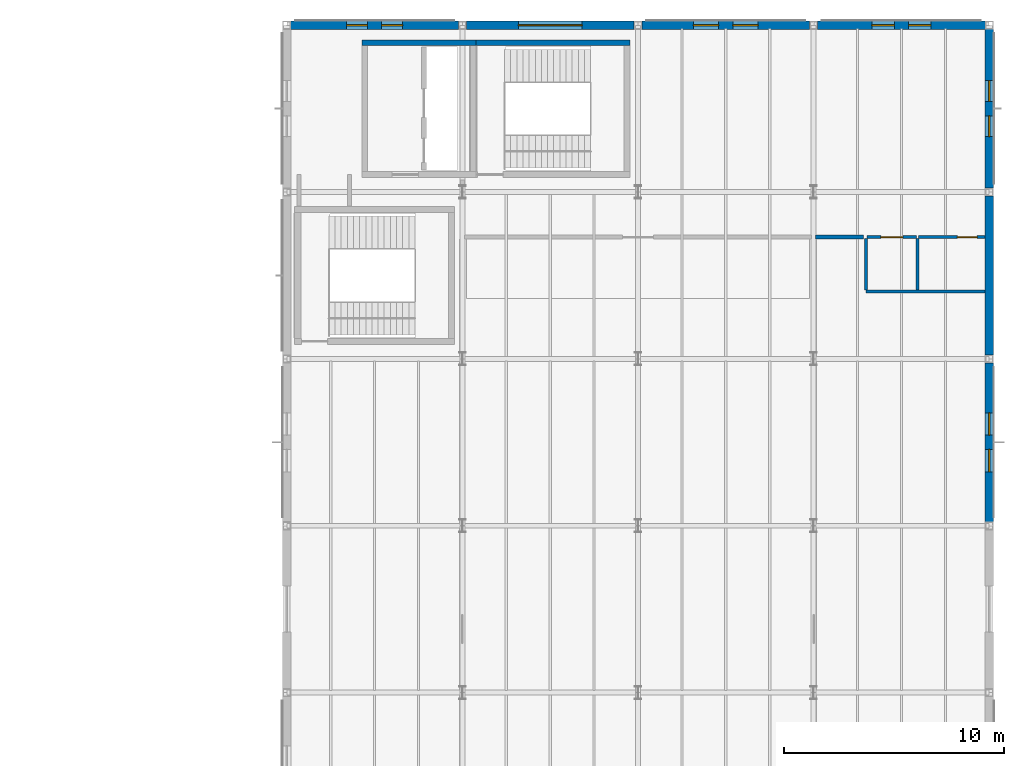
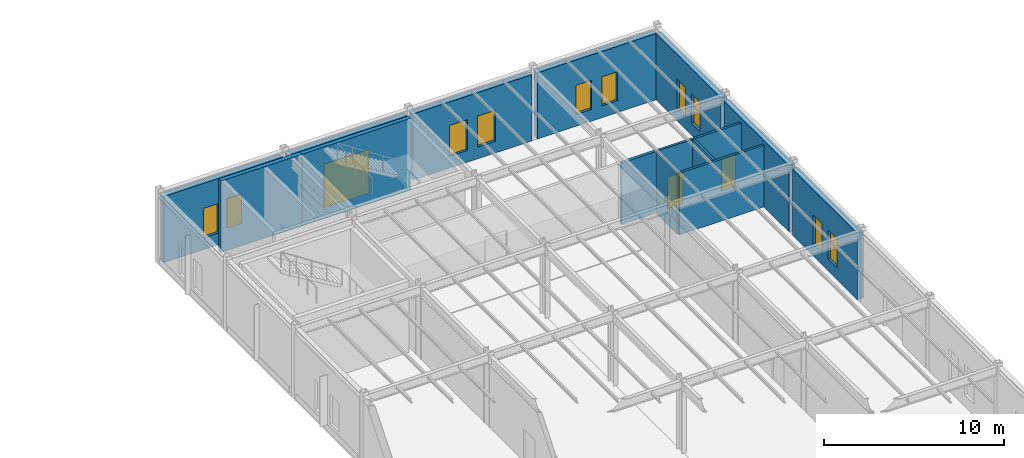
# One storey, part 94 of 109: 15 walls, 10 windows, 3 doors, 13 openings.
"""IFC4 building model written with IfcOpenShell, lengths in metres."""

from ifc_helpers import new_model, si_unit, direction, frame, frame_2d, origin, place, context, subcontext, project, spatial, rectangle, extrude, material, layer, layer_set, type_object, element, fill, save


model = new_model("IFC4")

# Units and contexts
model_context = context("Model", 3, precision=1e-05, world=origin(), true_north=direction((0.0, 1.0)))
body_context = subcontext(model_context, "Body", "Model", "MODEL_VIEW")
ifc_project = project(units=[si_unit("LENGTHUNIT", "METRE"), si_unit("AREAUNIT", "SQUARE_METRE"), si_unit("VOLUMEUNIT", "CUBIC_METRE"), si_unit("PLANEANGLEUNIT", "RADIAN"), si_unit("MASSUNIT", "GRAM", prefix="KILO")], contexts=[model_context])

# Site, building, storey
site_placement = place(None, origin())
site = spatial("IfcSite", under=ifc_project, at=site_placement, CompositionType="ELEMENT")
building_placement = place(site_placement, origin())
building = spatial("IfcBuilding", under=site, at=building_placement, Name="Montecoro Central Library", CompositionType="ELEMENT")
storey_placement = place(building_placement, origin())
storey = spatial("IfcBuildingStorey", under=building, at=storey_placement, Name="L00", CompositionType="ELEMENT", Elevation=0.0)

# Wall, openings, windows
ifc_material_1 = material(Name="Dark piperno stone clad concrete C35/45", Category="masonry")
ifc_layer_1 = layer(ifc_material_1, 0.385009765625)
ifc_layer_set_1 = layer_set([ifc_layer_1], Name="Dark piperno stone clad concrete C35/45")
wall_type_1 = type_object("IfcWallType", Name="EW-PIP-385", PredefinedType="SOLIDWALL", material=ifc_layer_set_1)
wall_1_placement = place(storey_placement, frame((173.0, 96.3779296875, 0.0), z_axis=(0.0, 0.0, 1.0), x_axis=(0.0, 1.0, 0.0)))
wall_1 = element("IfcWall", 1, at=wall_1_placement, inside=storey, type_object=wall_type_1, Name="V5-L00-EW-E3", PredefinedType="SOLIDWALL", context=body_context, shape_type="SweptSolid", body=[
    extrude(rectangle(XDim=7.244140625, YDim=0.385009765625, at=frame_2d((3.6220703125, 0.0))), origin(), (0.0, 0.0, 1.0), 4.5),
])
opening_1_placement = place(wall_1_placement, frame((2.277099609375, 0.0, 0.800048828125)))
opening_1 = element("IfcOpeningElement", 2, at=opening_1_placement, cuts=wall_1, Name="Opening WN-30", PredefinedType="OPENING", context=body_context, shape_type="SweptSolid", body=[
    extrude(rectangle(XDim=1.02001953125, YDim=1.97998046875, at=frame_2d((0.510009765625, 0.989990234375))), frame((0.0, 0.202392578125, 0.0), z_axis=(0.0, -1.0, 0.0), x_axis=(1.0, 0.0, 0.0)), (0.0, 0.0, 1.0), 0.405029296875),
])
opening_2_placement = place(wall_1_placement, frame((3.947021484375, 0.0, 0.800048828125)))
opening_2 = element("IfcOpeningElement", 3, at=opening_2_placement, cuts=wall_1, Name="Opening WN-30", PredefinedType="OPENING", context=body_context, shape_type="SweptSolid", body=[
    extrude(rectangle(XDim=1.02001953125, YDim=1.97998046875, at=frame_2d((0.510009765625, 0.989990234375))), frame((0.0, 0.202392578125, 0.0), z_axis=(0.0, -1.0, 0.0), x_axis=(1.0, 0.0, 0.0)), (0.0, 0.0, 1.0), 0.405029296875),
])
ifc_material_2 = material(Name="UV-filtered triple glazing", Category="glass")
window_type_1 = type_object("IfcWindowType", Name="WN-STK-102", PartitioningType="SINGLE_PANEL", PredefinedType="WINDOW", material=ifc_material_2)
window_1_placement = place(opening_1_placement, origin())
window_1 = element("IfcWindow", 4, at=window_1_placement, inside=storey, type_object=window_type_1, Name="V5-L00-WN-E3-1", OverallHeight=1.97998046875, OverallWidth=1.02001953125, PartitioningType="SINGLE_PANEL", PredefinedType="WINDOW", context=body_context, shape_type="SweptSolid", body=[
    extrude(rectangle(XDim=1.02001953125, YDim=1.97998046875, at=frame_2d((0.510009765625, 0.989990234375))), frame((0.0, 0.030029296875, 0.0), z_axis=(0.0, -1.0, 0.0), x_axis=(1.0, 0.0, 0.0)), (0.0, 0.0, 1.0), 0.06005859375),
])
fill(opening_1, window_1)
window_2_placement = place(opening_2_placement, origin())
window_2 = element("IfcWindow", 5, at=window_2_placement, inside=storey, type_object=window_type_1, Name="V5-L00-WN-E3-2", OverallHeight=1.97998046875, OverallWidth=1.02001953125, PartitioningType="SINGLE_PANEL", PredefinedType="WINDOW", context=body_context, shape_type="SweptSolid", body=[
    extrude(rectangle(XDim=1.02001953125, YDim=1.97998046875, at=frame_2d((0.510009765625, 0.989990234375))), frame((0.0, 0.030029296875, 0.0), z_axis=(0.0, -1.0, 0.0), x_axis=(1.0, 0.0, 0.0)), (0.0, 0.0, 1.0), 0.06005859375),
])
fill(opening_2, window_2)

# Wall
wall_2_placement = place(storey_placement, frame((173.0, 103.97802734375, 0.0), z_axis=(0.0, 0.0, 1.0), x_axis=(0.0, 1.0, 0.0)))
element("IfcWall", 6, at=wall_2_placement, inside=storey, type_object=wall_type_1, Name="V5-L00-EW-E4", PredefinedType="SOLIDWALL", context=body_context, shape_type="SweptSolid", body=[
    extrude(rectangle(XDim=7.243896484375, YDim=0.385009765625, at=frame_2d((3.6220703125, 0.0))), origin(), (0.0, 0.0, 1.0), 4.5),
])

# Wall, openings, windows
wall_3_placement = place(storey_placement, frame((173.0, 111.577880859375, 0.0), z_axis=(0.0, 0.0, 1.0), x_axis=(0.0, 1.0, 0.0)))
wall_3 = element("IfcWall", 7, at=wall_3_placement, inside=storey, type_object=wall_type_1, Name="V5-L00-EW-E5", PredefinedType="SOLIDWALL", context=body_context, shape_type="SweptSolid", body=[
    extrude(rectangle(XDim=7.244140625, YDim=0.385009765625, at=frame_2d((3.6220703125, 0.0))), origin(), (0.0, 0.0, 1.0), 4.5),
])
opening_3_placement = place(wall_3_placement, frame((2.346923828125, 0.0, 0.800048828125)))
opening_3 = element("IfcOpeningElement", 8, at=opening_3_placement, cuts=wall_3, Name="Opening WN-02", PredefinedType="OPENING", context=body_context, shape_type="SweptSolid", body=[
    extrude(rectangle(XDim=0.949951171875, YDim=2.0, at=frame_2d((0.47509765625, 1.0))), frame((0.0, 0.202392578125, 0.0), z_axis=(0.0, -1.0, 0.0), x_axis=(1.0, 0.0, 0.0)), (0.0, 0.0, 1.0), 0.405029296875),
])
opening_4_placement = place(wall_3_placement, frame((3.947021484375, 0.0, 0.800048828125)))
opening_4 = element("IfcOpeningElement", 9, at=opening_4_placement, cuts=wall_3, Name="Opening WN-02", PredefinedType="OPENING", context=body_context, shape_type="SweptSolid", body=[
    extrude(rectangle(XDim=0.949951171875, YDim=2.0, at=frame_2d((0.47509765625, 1.0))), frame((0.0, 0.202392578125, 0.0), z_axis=(0.0, -1.0, 0.0), x_axis=(1.0, 0.0, 0.0)), (0.0, 0.0, 1.0), 0.405029296875),
])
window_type_2 = type_object("IfcWindowType", Name="WN-STK-095", PartitioningType="SINGLE_PANEL", PredefinedType="WINDOW", material=ifc_material_2)
window_3_placement = place(opening_3_placement, origin())
window_3 = element("IfcWindow", 10, at=window_3_placement, inside=storey, type_object=window_type_2, Name="V5-L00-WN-E5-1", OverallHeight=2.0, OverallWidth=0.949951171875, PartitioningType="SINGLE_PANEL", PredefinedType="WINDOW", context=body_context, shape_type="SweptSolid", body=[
    extrude(rectangle(XDim=0.949951171875, YDim=2.0, at=frame_2d((0.47509765625, 1.0))), frame((0.0, 0.030029296875, 0.0), z_axis=(0.0, -1.0, 0.0), x_axis=(1.0, 0.0, 0.0)), (0.0, 0.0, 1.0), 0.06005859375),
])
fill(opening_3, window_3)
window_4_placement = place(opening_4_placement, origin())
window_4 = element("IfcWindow", 11, at=window_4_placement, inside=storey, type_object=window_type_2, Name="V5-L00-WN-E5-2", OverallHeight=2.0, OverallWidth=0.949951171875, PartitioningType="SINGLE_PANEL", PredefinedType="WINDOW", context=body_context, shape_type="SweptSolid", body=[
    extrude(rectangle(XDim=0.949951171875, YDim=2.0, at=frame_2d((0.47509765625, 1.0))), frame((0.0, 0.030029296875, 0.0), z_axis=(0.0, -1.0, 0.0), x_axis=(1.0, 0.0, 0.0)), (0.0, 0.0, 1.0), 0.06005859375),
])
fill(opening_4, window_4)

wall_4_placement = place(storey_placement, frame((172.822021484375, 119.0, 0.0), z_axis=(0.0, 0.0, 1.0), x_axis=(-1.0, 0.0, 0.0)))
wall_4 = element("IfcWall", 12, at=wall_4_placement, inside=storey, type_object=wall_type_1, Name="V5-L00-EW-N3", PredefinedType="SOLIDWALL", context=body_context, shape_type="SweptSolid", body=[
    extrude(rectangle(XDim=7.64404296875, YDim=0.385009765625, at=frame_2d((3.822021484375, 0.0))), origin(), (0.0, 0.0, 1.0), 4.5),
])
opening_5_placement = place(wall_4_placement, frame((2.47705078125, 0.0, 0.800048828125)))
opening_5 = element("IfcOpeningElement", 13, at=opening_5_placement, cuts=wall_4, Name="Opening WN-30", PredefinedType="OPENING", context=body_context, shape_type="SweptSolid", body=[
    extrude(rectangle(XDim=1.02001953125, YDim=1.97998046875, at=frame_2d((0.510009765625, 0.989990234375))), frame((0.0, 0.202392578125, 0.0), z_axis=(0.0, -1.0, 0.0), x_axis=(1.0, 0.0, 0.0)), (0.0, 0.0, 1.0), 0.405029296875),
])
opening_6_placement = place(wall_4_placement, frame((4.14697265625, 0.0, 0.800048828125)))
opening_6 = element("IfcOpeningElement", 14, at=opening_6_placement, cuts=wall_4, Name="Opening WN-30", PredefinedType="OPENING", context=body_context, shape_type="SweptSolid", body=[
    extrude(rectangle(XDim=1.02001953125, YDim=1.97998046875, at=frame_2d((0.510009765625, 0.989990234375))), frame((0.0, 0.202392578125, 0.0), z_axis=(0.0, -1.0, 0.0), x_axis=(1.0, 0.0, 0.0)), (0.0, 0.0, 1.0), 0.405029296875),
])
window_5_placement = place(opening_5_placement, origin())
window_5 = element("IfcWindow", 15, at=window_5_placement, inside=storey, type_object=window_type_1, Name="V5-L00-WN-N3-1", OverallHeight=1.97998046875, OverallWidth=1.02001953125, PartitioningType="SINGLE_PANEL", PredefinedType="WINDOW", context=body_context, shape_type="SweptSolid", body=[
    extrude(rectangle(XDim=1.02001953125, YDim=1.97998046875, at=frame_2d((0.510009765625, 0.989990234375))), frame((0.0, 0.030029296875, 0.0), z_axis=(0.0, -1.0, 0.0), x_axis=(1.0, 0.0, 0.0)), (0.0, 0.0, 1.0), 0.06005859375),
])
fill(opening_5, window_5)
window_6_placement = place(opening_6_placement, origin())
window_6 = element("IfcWindow", 16, at=window_6_placement, inside=storey, type_object=window_type_1, Name="V5-L00-WN-N3-2", OverallHeight=1.97998046875, OverallWidth=1.02001953125, PartitioningType="SINGLE_PANEL", PredefinedType="WINDOW", context=body_context, shape_type="SweptSolid", body=[
    extrude(rectangle(XDim=1.02001953125, YDim=1.97998046875, at=frame_2d((0.510009765625, 0.989990234375))), frame((0.0, 0.030029296875, 0.0), z_axis=(0.0, -1.0, 0.0), x_axis=(1.0, 0.0, 0.0)), (0.0, 0.0, 1.0), 0.06005859375),
])
fill(opening_6, window_6)

wall_5_placement = place(storey_placement, frame((164.822021484375, 119.0, 0.0), z_axis=(0.0, 0.0, 1.0), x_axis=(-1.0, 0.0, 0.0)))
wall_5 = element("IfcWall", 17, at=wall_5_placement, inside=storey, type_object=wall_type_1, Name="V5-L00-EW-N2", PredefinedType="SOLIDWALL", context=body_context, shape_type="SweptSolid", body=[
    extrude(rectangle(XDim=7.64404296875, YDim=0.385009765625, at=frame_2d((3.822021484375, 0.0))), origin(), (0.0, 0.0, 1.0), 4.5),
])
opening_7_placement = place(wall_5_placement, frame((2.346923828125, 0.0, 0.800048828125)))
opening_7 = element("IfcOpeningElement", 18, at=opening_7_placement, cuts=wall_5, Name="Opening WN-04", PredefinedType="OPENING", context=body_context, shape_type="SweptSolid", body=[
    extrude(rectangle(XDim=1.14990234375, YDim=2.10009765625, at=frame_2d((0.574951171875, 1.050048828125))), frame((0.0, 0.202392578125, 0.0), z_axis=(0.0, -1.0, 0.0), x_axis=(1.0, 0.0, 0.0)), (0.0, 0.0, 1.0), 0.405029296875),
])
opening_8_placement = place(wall_5_placement, frame((4.14697265625, 0.0, 0.800048828125)))
opening_8 = element("IfcOpeningElement", 19, at=opening_8_placement, cuts=wall_5, Name="Opening WN-04", PredefinedType="OPENING", context=body_context, shape_type="SweptSolid", body=[
    extrude(rectangle(XDim=1.14990234375, YDim=2.10009765625, at=frame_2d((0.574951171875, 1.050048828125))), frame((0.0, 0.202392578125, 0.0), z_axis=(0.0, -1.0, 0.0), x_axis=(1.0, 0.0, 0.0)), (0.0, 0.0, 1.0), 0.405029296875),
])
window_type_3 = type_object("IfcWindowType", Name="WN-STK-115", PartitioningType="SINGLE_PANEL", PredefinedType="WINDOW", material=ifc_material_2)
window_7_placement = place(opening_7_placement, origin())
window_7 = element("IfcWindow", 20, at=window_7_placement, inside=storey, type_object=window_type_3, Name="V5-L00-WN-N2-1", OverallHeight=2.10009765625, OverallWidth=1.14990234375, PartitioningType="SINGLE_PANEL", PredefinedType="WINDOW", context=body_context, shape_type="SweptSolid", body=[
    extrude(rectangle(XDim=1.14990234375, YDim=2.10009765625, at=frame_2d((0.574951171875, 1.050048828125))), frame((0.0, 0.030029296875, 0.0), z_axis=(0.0, -1.0, 0.0), x_axis=(1.0, 0.0, 0.0)), (0.0, 0.0, 1.0), 0.06005859375),
])
fill(opening_7, window_7)
window_8_placement = place(opening_8_placement, origin())
window_8 = element("IfcWindow", 21, at=window_8_placement, inside=storey, type_object=window_type_3, Name="V5-L00-WN-N2-2", OverallHeight=2.10009765625, OverallWidth=1.14990234375, PartitioningType="SINGLE_PANEL", PredefinedType="WINDOW", context=body_context, shape_type="SweptSolid", body=[
    extrude(rectangle(XDim=1.14990234375, YDim=2.10009765625, at=frame_2d((0.574951171875, 1.050048828125))), frame((0.0, 0.030029296875, 0.0), z_axis=(0.0, -1.0, 0.0), x_axis=(1.0, 0.0, 0.0)), (0.0, 0.0, 1.0), 0.06005859375),
])
fill(opening_8, window_8)

# Wall, opening, door
wall_6_placement = place(storey_placement, frame((156.822021484375, 119.0, 0.0), z_axis=(0.0, 0.0, 1.0), x_axis=(-1.0, 0.0, 0.0)))
wall_6 = element("IfcWall", 22, at=wall_6_placement, inside=storey, type_object=wall_type_1, Name="V5-L00-EW-N1", PredefinedType="SOLIDWALL", context=body_context, shape_type="SweptSolid", body=[
    extrude(rectangle(XDim=7.64404296875, YDim=0.385009765625, at=frame_2d((3.822021484375, 0.0))), origin(), (0.0, 0.0, 1.0), 4.5),
])
opening_9_placement = place(wall_6_placement, frame((2.3720703125, 0.0, 0.0)))
opening_9 = element("IfcOpeningElement", 23, at=opening_9_placement, cuts=wall_6, Name="Opening EG-02", PredefinedType="OPENING", context=body_context, shape_type="SweptSolid", body=[
    extrude(rectangle(XDim=2.89990234375, YDim=2.949951171875, at=frame_2d((1.449951171875, 1.47509765625))), frame((0.0, 0.202392578125, 0.0), z_axis=(0.0, -1.0, 0.0), x_axis=(1.0, 0.0, 0.0)), (0.0, 0.0, 1.0), 0.405029296875),
])
ifc_material_3 = material(Name="Thermally broken architectural bronze and safety glass", Category="glass")
door_type_1 = type_object("IfcDoorType", Name="ED-GATE-290", OperationType="NOTDEFINED", PredefinedType="GATE", material=ifc_material_3)
door_1_placement = place(opening_9_placement, origin())
door_1 = element("IfcDoor", 24, at=door_1_placement, inside=storey, type_object=door_type_1, Name="V5-L00-GT-N1", OperationType="DOUBLE_DOOR_SINGLE_SWING", OverallHeight=2.949951171875, OverallWidth=2.89990234375, PredefinedType="GATE", context=body_context, shape_type="SweptSolid", body=[
    extrude(rectangle(XDim=2.89990234375, YDim=2.949951171875, at=frame_2d((1.449951171875, 1.47509765625))), frame((0.0, 0.02490234375, 0.0), z_axis=(0.0, -1.0, 0.0), x_axis=(1.0, 0.0, 0.0)), (0.0, 0.0, 1.0), 0.050048828125),
])
fill(opening_9, door_1)

# Wall, openings, windows
wall_7_placement = place(storey_placement, frame((148.822021484375, 119.0, 0.0), z_axis=(0.0, 0.0, 1.0), x_axis=(-1.0, 0.0, 0.0)))
wall_7 = element("IfcWall", 25, at=wall_7_placement, inside=storey, type_object=wall_type_1, Name="V5-L00-EW-N0", PredefinedType="SOLIDWALL", context=body_context, shape_type="SweptSolid", body=[
    extrude(rectangle(XDim=7.64404296875, YDim=0.385009765625, at=frame_2d((3.822021484375, 0.0))), origin(), (0.0, 0.0, 1.0), 4.5),
])
opening_10_placement = place(wall_7_placement, frame((2.547119140625, 0.0, 0.800048828125)))
opening_10 = element("IfcOpeningElement", 26, at=opening_10_placement, cuts=wall_7, Name="Opening WN-02", PredefinedType="OPENING", context=body_context, shape_type="SweptSolid", body=[
    extrude(rectangle(XDim=0.949951171875, YDim=2.0, at=frame_2d((0.47509765625, 1.0))), frame((0.0, 0.202392578125, 0.0), z_axis=(0.0, -1.0, 0.0), x_axis=(1.0, 0.0, 0.0)), (0.0, 0.0, 1.0), 0.405029296875),
])
opening_11_placement = place(wall_7_placement, frame((4.14697265625, 0.0, 0.800048828125)))
opening_11 = element("IfcOpeningElement", 27, at=opening_11_placement, cuts=wall_7, Name="Opening WN-02", PredefinedType="OPENING", context=body_context, shape_type="SweptSolid", body=[
    extrude(rectangle(XDim=0.949951171875, YDim=2.0, at=frame_2d((0.47509765625, 1.0))), frame((0.0, 0.202392578125, 0.0), z_axis=(0.0, -1.0, 0.0), x_axis=(1.0, 0.0, 0.0)), (0.0, 0.0, 1.0), 0.405029296875),
])
window_9_placement = place(opening_10_placement, origin())
window_9 = element("IfcWindow", 28, at=window_9_placement, inside=storey, type_object=window_type_2, Name="V5-L00-WN-N0-1", OverallHeight=2.0, OverallWidth=0.949951171875, PartitioningType="SINGLE_PANEL", PredefinedType="WINDOW", context=body_context, shape_type="SweptSolid", body=[
    extrude(rectangle(XDim=0.949951171875, YDim=2.0, at=frame_2d((0.47509765625, 1.0))), frame((0.0, 0.030029296875, 0.0), z_axis=(0.0, -1.0, 0.0), x_axis=(1.0, 0.0, 0.0)), (0.0, 0.0, 1.0), 0.06005859375),
])
fill(opening_10, window_9)
window_10_placement = place(opening_11_placement, origin())
window_10 = element("IfcWindow", 29, at=window_10_placement, inside=storey, type_object=window_type_2, Name="V5-L00-WN-N0-2", OverallHeight=2.0, OverallWidth=0.949951171875, PartitioningType="SINGLE_PANEL", PredefinedType="WINDOW", context=body_context, shape_type="SweptSolid", body=[
    extrude(rectangle(XDim=0.949951171875, YDim=2.0, at=frame_2d((0.47509765625, 1.0))), frame((0.0, 0.030029296875, 0.0), z_axis=(0.0, -1.0, 0.0), x_axis=(1.0, 0.0, 0.0)), (0.0, 0.0, 1.0), 0.06005859375),
])
fill(opening_11, window_10)

# Walls
ifc_material_4 = material(Name="Gypsum fire-rated partition")
ifc_layer_2 = layer(ifc_material_4, 0.179931640625)
ifc_layer_set_2 = layer_set([ifc_layer_2], Name="Gypsum fire-rated partition")
wall_type_2 = type_object("IfcWallType", Name="IW-COR-180", PredefinedType="PARTITIONING", material=ifc_layer_set_2)
wall_8_placement = place(storey_placement, frame((165.090087890625, 109.35009765625, 0.0), z_axis=(0.0, 0.0, 1.0), x_axis=(1.0, 0.0, 0.0)))
element("IfcWall", 30, at=wall_8_placement, inside=storey, type_object=wall_type_2, Name="CORW-V5-L00-04", PredefinedType="PARTITIONING", context=body_context, shape_type="SweptSolid", body=[
    extrude(rectangle(XDim=2.169921875, YDim=0.179931640625, at=frame_2d((1.0849609375, 0.0))), origin(), (0.0, 0.0, 1.0), 4.199951171875),
])
ifc_material_5 = material(Name="Concrete C35/45", Category="concrete")
ifc_layer_3 = layer(ifc_material_5, 0.260009765625)
ifc_layer_set_3 = layer_set([ifc_layer_3], Name="Concrete C35/45")
wall_type_3 = type_object("IfcWallType", Name="IW-SHR-260", PredefinedType="SHEAR", material=ifc_layer_set_3)
wall_9_placement = place(storey_placement, frame((149.6298828125, 118.199951171875, 0.0), z_axis=(0.0, 0.0, 1.0), x_axis=(-1.0, 0.0, 0.0)))
element("IfcWall", 31, at=wall_9_placement, inside=storey, type_object=wall_type_3, Name="C6-L00-LWN", PredefinedType="SHEAR", context=body_context, shape_type="SweptSolid", body=[
    extrude(rectangle(XDim=5.2099609375, YDim=0.260009765625, at=frame_2d((2.60498046875, 0.0))), origin(), (0.0, 0.0, 1.0), 4.864990234375),
])
wall_10_placement = place(storey_placement, frame((149.3701171875, 118.199951171875, 0.0), z_axis=(0.0, 0.0, 1.0), x_axis=(1.0, 0.0, 0.0)))
element("IfcWall", 32, at=wall_10_placement, inside=storey, type_object=wall_type_3, Name="C6-L00-WN", PredefinedType="SHEAR", context=body_context, shape_type="SweptSolid", body=[
    extrude(rectangle(XDim=7.259765625, YDim=0.260009765625, at=frame_2d((3.6298828125, 0.0))), origin(), (0.0, 0.0, 1.0), 4.864990234375),
])
ifc_material_6 = material(Name="Moisture-resistant ceramic-tiled partition")
ifc_layer_4 = layer(ifc_material_6, 0.14990234375)
ifc_layer_set_4 = layer_set([ifc_layer_4], Name="Moisture-resistant ceramic-tiled partition")
wall_type_4 = type_object("IfcWallType", Name="IW-WET-150", PredefinedType="PARTITIONING", material=ifc_layer_set_4)
wall_11_placement = place(storey_placement, frame((167.3798828125, 106.8701171875, 0.0), z_axis=(0.0, 0.0, 1.0), x_axis=(1.0, 0.0, 0.0)))
element("IfcWall", 33, at=wall_11_placement, inside=storey, type_object=wall_type_4, Name="WC-V5-L00-WBK", PredefinedType="PARTITIONING", context=body_context, shape_type="SweptSolid", body=[
    extrude(rectangle(XDim=5.420166015625, YDim=0.14990234375, at=frame_2d((2.7099609375, 0.0))), origin(), (0.0, 0.0, 1.0), 4.199951171875),
])
for number, where, z_axis, x_axis, name in (
    (34, (167.3798828125, 106.929931640625, 0.0), (0.0, 0.0, 1.0), (0.0, 1.0, 0.0), "WC-V5-L00-WW"),
    (35, (169.72998046875, 106.929931640625, 0.0), (0.0, 0.0, 1.0), (0.0, 1.0, 0.0), "WC-V5-L00-WM"),
):
    element("IfcWall", number, at=place(storey_placement, frame(where, z_axis=z_axis, x_axis=x_axis)), inside=storey, type_object=wall_type_4, Name=name, PredefinedType="PARTITIONING", context=body_context, shape_type="SweptSolid", body=[
        extrude(rectangle(XDim=2.360107421875, YDim=0.14990234375, at=frame_2d((1.18017578125, 0.0))), origin(), (0.0, 0.0, 1.0), 4.199951171875),
    ])

# Wall, opening, door
wall_12_placement = place(storey_placement, frame((167.43994140625, 109.35009765625, 0.0), z_axis=(0.0, 0.0, 1.0), x_axis=(1.0, 0.0, 0.0)))
wall_12 = element("IfcWall", 36, at=wall_12_placement, inside=storey, type_object=wall_type_4, Name="WC-V5-L00-WFA", PredefinedType="PARTITIONING", context=body_context, shape_type="SweptSolid", body=[
    extrude(rectangle(XDim=2.25, YDim=0.14990234375, at=frame_2d((1.125, 0.0))), origin(), (0.0, 0.0, 1.0), 4.199951171875),
])
opening_12_placement = place(wall_12_placement, frame((0.625, 0.0, 0.0)))
opening_12 = element("IfcOpeningElement", 37, at=opening_12_placement, cuts=wall_12, Name="Opening ID-15", PredefinedType="OPENING", context=body_context, shape_type="SweptSolid", body=[
    extrude(rectangle(XDim=1.0, YDim=2.14990234375, at=frame_2d((0.5, 1.074951171875))), frame((0.0, 0.0849609375, 0.0), z_axis=(0.0, -1.0, 0.0), x_axis=(1.0, 0.0, 0.0)), (0.0, 0.0, 1.0), 0.169921875),
])
ifc_material_7 = material(Name="Solid oak and fire-rated steel door", Category="steel")
door_type_2 = type_object("IfcDoorType", Name="ID-AWC-100", OperationType="NOTDEFINED", PredefinedType="DOOR", material=ifc_material_7)
door_2_placement = place(opening_12_placement, origin())
door_2 = element("IfcDoor", 38, at=door_2_placement, inside=storey, type_object=door_type_2, Name="DR-SP-V5-L00-AWC", OperationType="SINGLE_SWING_LEFT", OverallHeight=2.14990234375, OverallWidth=1.0, PredefinedType="DOOR", context=body_context, shape_type="SweptSolid", body=[
    extrude(rectangle(XDim=1.0, YDim=2.14990234375, at=frame_2d((0.5, 1.074951171875))), frame((0.0, 0.02490234375, 0.0), z_axis=(0.0, -1.0, 0.0), x_axis=(1.0, 0.0, 0.0)), (0.0, 0.0, 1.0), 0.050048828125),
])
fill(opening_12, door_2)

wall_13_placement = place(storey_placement, frame((169.77001953125, 109.35009765625, 0.0), z_axis=(0.0, 0.0, 1.0), x_axis=(1.0, 0.0, 0.0)))
wall_13 = element("IfcWall", 39, at=wall_13_placement, inside=storey, type_object=wall_type_4, Name="WC-V5-L00-WFP", PredefinedType="PARTITIONING", context=body_context, shape_type="SweptSolid", body=[
    extrude(rectangle(XDim=3.030029296875, YDim=0.14990234375, at=frame_2d((1.51513671875, 0.0))), origin(), (0.0, 0.0, 1.0), 4.199951171875),
])
opening_13_placement = place(wall_13_placement, frame((1.780029296875, 0.0, 0.0)))
opening_13 = element("IfcOpeningElement", 40, at=opening_13_placement, cuts=wall_13, Name="Opening ID-16", PredefinedType="OPENING", context=body_context, shape_type="SweptSolid", body=[
    extrude(rectangle(XDim=0.89990234375, YDim=2.14990234375, at=frame_2d((0.449951171875, 1.074951171875))), frame((0.0, 0.0849609375, 0.0), z_axis=(0.0, -1.0, 0.0), x_axis=(1.0, 0.0, 0.0)), (0.0, 0.0, 1.0), 0.169921875),
])
door_type_3 = type_object("IfcDoorType", Name="ID-WC-090", OperationType="NOTDEFINED", PredefinedType="DOOR", material=ifc_material_7)
door_3_placement = place(opening_13_placement, origin())
door_3 = element("IfcDoor", 41, at=door_3_placement, inside=storey, type_object=door_type_3, Name="DR-SP-V5-L00-PWC", OperationType="SINGLE_SWING_RIGHT", OverallHeight=2.14990234375, OverallWidth=0.89990234375, PredefinedType="DOOR", context=body_context, shape_type="SweptSolid", body=[
    extrude(rectangle(XDim=0.89990234375, YDim=2.14990234375, at=frame_2d((0.449951171875, 1.074951171875))), frame((0.0, 0.02490234375, 0.0), z_axis=(0.0, -1.0, 0.0), x_axis=(1.0, 0.0, 0.0)), (0.0, 0.0, 1.0), 0.050048828125),
])
fill(opening_13, door_3)

save(model, "model.ifc")
